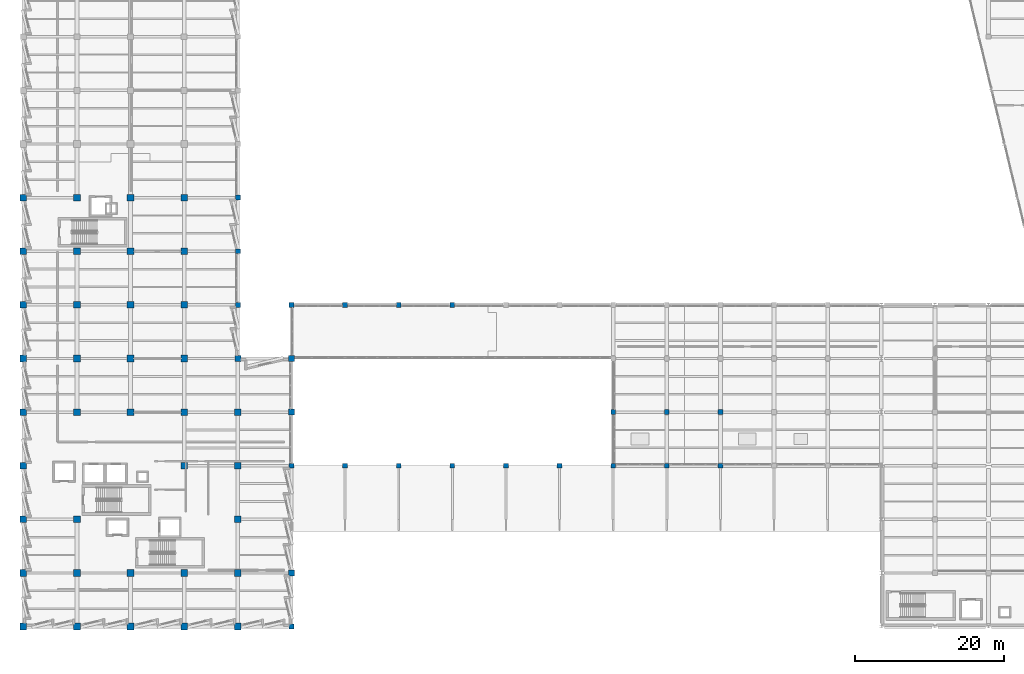
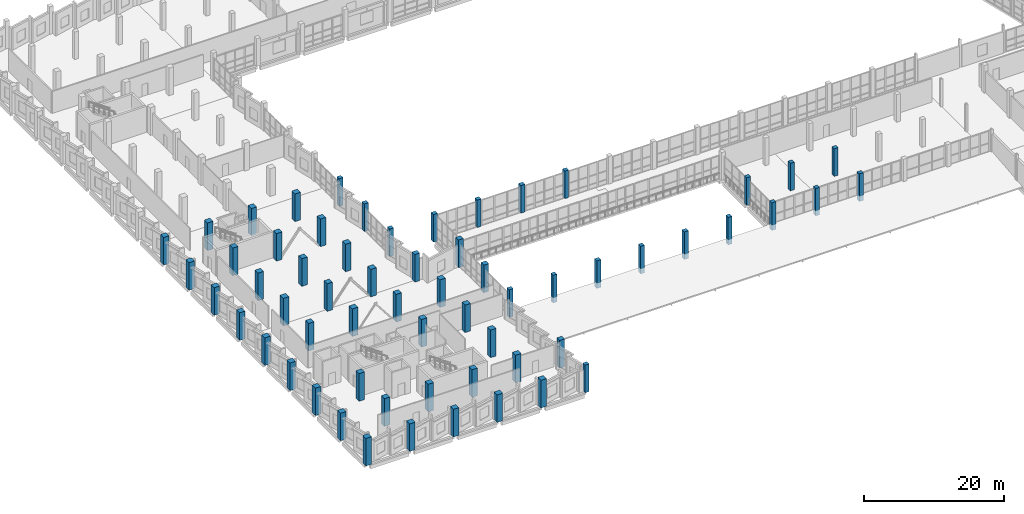
# One storey, part 1 of 127: 61 columns.
"""IFC4 building model written with IfcOpenShell, lengths in metres."""

from ifc_helpers import new_model, si_unit, direction, frame, origin, origin_2d, place, context, subcontext, project, spatial, rectangle, extrude, material, material_profile, profile_set, type_object, element, save


model = new_model("IFC4")

# Units and contexts
model_context = context("Model", 3, precision=1e-05, world=origin(), true_north=direction((0.0, 1.0)))
body_context = subcontext(model_context, "Body", "Model", "MODEL_VIEW")
ifc_project = project(units=[si_unit("LENGTHUNIT", "METRE"), si_unit("AREAUNIT", "SQUARE_METRE"), si_unit("VOLUMEUNIT", "CUBIC_METRE"), si_unit("PLANEANGLEUNIT", "RADIAN"), si_unit("MASSUNIT", "GRAM", prefix="KILO")], contexts=[model_context])

# Site, building, storey
site_placement = place(None, origin())
site = spatial("IfcSite", under=ifc_project, at=site_placement, CompositionType="ELEMENT")
building_placement = place(site_placement, origin())
building = spatial("IfcBuilding", under=site, at=building_placement, Name="Kalmorath City Hall", CompositionType="ELEMENT")
storey_placement = place(building_placement, frame((0.0, 0.0, 5.39990234375)))
storey = spatial("IfcBuildingStorey", under=building, at=storey_placement, Name="L01", CompositionType="ELEMENT", Elevation=5.39990234375)

# Columns
ifc_material_1 = material(Name="Concrete C50/60", Category="concrete")
ifc_material_profile_1 = material_profile(ifc_material_1, rectangle(XDim=0.64990234375, YDim=0.64990234375, at=origin_2d()), Name="RC-COL-650X650")
ifc_profile_set_1 = profile_set([ifc_material_profile_1], Name="Concrete C50/60")
column_type_1 = type_object("IfcColumnType", Name="Concrete column 650x650", PredefinedType="COLUMN", material=ifc_profile_set_1)
for number, where, z_axis, x_axis, name in (
    (1, (28.800048828125, 43.199951171875, 0.0), (0.0, 0.0, 1.0), (1.0, 0.0, 0.0), "L01 column C5 (5/7)"),
    (2, (28.800048828125, 50.39990234375, 0.0), (0.0, 0.0, 1.0), (1.0, 0.0, 0.0), "L01 column C5 (5/8)"),
    (3, (28.800048828125, 57.60009765625, 0.0), (0.0, 0.0, 1.0), (1.0, 0.0, 0.0), "L01 column C5 (5/9)"),
    (4, (36.0, 0.0, 0.0), (0.0, 0.0, 1.0), (1.0, 0.0, 0.0), "L01 column C5 (6/1)"),
    (5, (36.0, 21.60009765625, 0.0), (0.0, 0.0, 1.0), (1.0, 0.0, 0.0), "L01 column C5 (6/4)"),
    (6, (36.0, 43.199951171875, 0.0), (0.0, 0.0, 1.0), (1.0, 0.0, 0.0), "L01 column C5 (6/7)"),
    (7, (43.199951171875, 21.60009765625, 0.0), (0.0, 0.0, 1.0), (1.0, 0.0, 0.0), "L01 column C5 (7/4)"),
    (8, (43.199951171875, 43.199951171875, 0.0), (0.0, 0.0, 1.0), (1.0, 0.0, 0.0), "L01 column C5 (7/7)"),
    (9, (50.39990234375, 21.60009765625, 0.0), (0.0, 0.0, 1.0), (1.0, 0.0, 0.0), "L01 column C5 (8/4)"),
    (10, (50.39990234375, 43.199951171875, 0.0), (0.0, 0.0, 1.0), (1.0, 0.0, 0.0), "L01 column C5 (8/7)"),
    (11, (57.60009765625, 21.60009765625, 0.0), (0.0, 0.0, 1.0), (1.0, 0.0, 0.0), "L01 column C5 (9/4)"),
    (12, (57.60009765625, 43.199951171875, 0.0), (0.0, 0.0, 1.0), (1.0, 0.0, 0.0), "L01 column C5 (9/7)"),
    (13, (64.800048828125, 21.60009765625, 0.0), (0.0, 0.0, 1.0), (1.0, 0.0, 0.0), "L01 column C5 (10/4)"),
    (14, (72.0, 21.60009765625, 0.0), (0.0, 0.0, 1.0), (1.0, 0.0, 0.0), "L01 column C5 (11/4)"),
    (15, (79.199951171875, 21.60009765625, 0.0), (0.0, 0.0, 1.0), (1.0, 0.0, 0.0), "L01 column C5 (12/4)"),
    (16, (79.199951171875, 28.800048828125, 0.0), (0.0, 0.0, 1.0), (1.0, 0.0, 0.0), "L01 column C5 (12/5)"),
    (17, (86.39990234375, 21.60009765625, 0.0), (0.0, 0.0, 1.0), (1.0, 0.0, 0.0), "L01 column C5 (13/4)"),
    (18, (86.39990234375, 28.800048828125, 0.0), (0.0, 0.0, 1.0), (1.0, 0.0, 0.0), "L01 column C5 (13/5)"),
    (19, (93.60009765625, 21.60009765625, 0.0), (0.0, 0.0, 1.0), (1.0, 0.0, 0.0), "L01 column C5 (14/4)"),
    (20, (93.60009765625, 28.800048828125, 0.0), (0.0, 0.0, 1.0), (1.0, 0.0, 0.0), "L01 column C5 (14/5)"),
):
    element("IfcColumn", number, at=place(storey_placement, frame(where, z_axis=z_axis, x_axis=x_axis)), inside=storey, type_object=column_type_1, Name=name, PredefinedType="COLUMN", context=body_context, shape_type="SweptSolid", body=[
        extrude(rectangle(XDim=0.64990234375, YDim=0.64990234375, at=origin_2d()), origin(), (0.0, 0.0, 1.0), 4.800048828125),
    ])
ifc_material_2 = material(Name="Concrete C50/60", Category="concrete")
ifc_material_profile_2 = material_profile(ifc_material_2, rectangle(XDim=0.800048828125, YDim=0.800048828125, at=origin_2d()), Name="RC-COL-800X800")
ifc_profile_set_2 = profile_set([ifc_material_profile_2], Name="Concrete C50/60")
column_type_2 = type_object("IfcColumnType", Name="Concrete column 800x800", PredefinedType="COLUMN", material=ifc_profile_set_2)
for number, where, z_axis, x_axis, name in (
    (21, (28.800048828125, 36.0, 0.0), (0.0, 0.0, 1.0), (1.0, 0.0, 0.0), "L01 column C2 (5/6)"),
    (22, (36.0, 7.199951171875, 0.0), (0.0, 0.0, 1.0), (1.0, 0.0, 0.0), "L01 column C2 (6/2)"),
    (23, (36.0, 28.800048828125, 0.0), (0.0, 0.0, 1.0), (1.0, 0.0, 0.0), "L01 column C2 (6/5)"),
    (24, (36.0, 36.0, 0.0), (0.0, 0.0, 1.0), (1.0, 0.0, 0.0), "L01 column C2 (6/6)"),
):
    element("IfcColumn", number, at=place(storey_placement, frame(where, z_axis=z_axis, x_axis=x_axis)), inside=storey, type_object=column_type_2, Name=name, PredefinedType="COLUMN", context=body_context, shape_type="SweptSolid", body=[
        extrude(rectangle(XDim=0.800048828125, YDim=0.800048828125, at=origin_2d()), origin(), (0.0, 0.0, 1.0), 4.800048828125),
    ])
ifc_material_3 = material(Name="Concrete C50/60", Category="concrete")
ifc_material_profile_3 = material_profile(ifc_material_3, rectangle(XDim=0.89990234375, YDim=0.89990234375, at=origin_2d()), Name="RC-COL-900X900")
ifc_profile_set_3 = profile_set([ifc_material_profile_3], Name="Concrete C50/60")
column_type_3 = type_object("IfcColumnType", Name="Concrete column 900x900", PredefinedType="COLUMN", material=ifc_profile_set_3)
for number, where, z_axis, x_axis, name in (
    (25, (0.0, 0.0, 0.0), (0.0, 0.0, 1.0), (1.0, 0.0, 0.0), "L01 column C1 (1/1)"),
    (26, (0.0, 7.199951171875, 0.0), (0.0, 0.0, 1.0), (1.0, 0.0, 0.0), "L01 column C1 (1/2)"),
    (27, (0.0, 14.39990234375, 0.0), (0.0, 0.0, 1.0), (1.0, 0.0, 0.0), "L01 column C1 (1/3)"),
    (28, (0.0, 21.60009765625, 0.0), (0.0, 0.0, 1.0), (1.0, 0.0, 0.0), "L01 column C1 (1/4)"),
    (29, (0.0, 28.800048828125, 0.0), (0.0, 0.0, 1.0), (1.0, 0.0, 0.0), "L01 column C1 (1/5)"),
    (30, (0.0, 36.0, 0.0), (0.0, 0.0, 1.0), (1.0, 0.0, 0.0), "L01 column C1 (1/6)"),
    (31, (0.0, 43.199951171875, 0.0), (0.0, 0.0, 1.0), (1.0, 0.0, 0.0), "L01 column C1 (1/7)"),
    (32, (0.0, 50.39990234375, 0.0), (0.0, 0.0, 1.0), (1.0, 0.0, 0.0), "L01 column C1 (1/8)"),
    (33, (0.0, 57.60009765625, 0.0), (0.0, 0.0, 1.0), (1.0, 0.0, 0.0), "L01 column C1 (1/9)"),
    (34, (7.199951171875, 0.0, 0.0), (0.0, 0.0, 1.0), (1.0, 0.0, 0.0), "L01 column C1 (2/1)"),
    (35, (7.199951171875, 7.199951171875, 0.0), (0.0, 0.0, 1.0), (1.0, 0.0, 0.0), "L01 column C1 (2/2)"),
    (36, (7.199951171875, 14.39990234375, 0.0), (0.0, 0.0, 1.0), (1.0, 0.0, 0.0), "L01 column C1 (2/3)"),
    (37, (7.199951171875, 28.800048828125, 0.0), (0.0, 0.0, 1.0), (1.0, 0.0, 0.0), "L01 column C1 (2/5)"),
    (38, (7.199951171875, 36.0, 0.0), (0.0, 0.0, 1.0), (1.0, 0.0, 0.0), "L01 column C1 (2/6)"),
    (39, (7.199951171875, 43.199951171875, 0.0), (0.0, 0.0, 1.0), (1.0, 0.0, 0.0), "L01 column C1 (2/7)"),
    (40, (7.199951171875, 50.39990234375, 0.0), (0.0, 0.0, 1.0), (1.0, 0.0, 0.0), "L01 column C1 (2/8)"),
    (41, (7.199951171875, 57.60009765625, 0.0), (0.0, 0.0, 1.0), (1.0, 0.0, 0.0), "L01 column C1 (2/9)"),
    (42, (14.39990234375, 0.0, 0.0), (0.0, 0.0, 1.0), (1.0, 0.0, 0.0), "L01 column C1 (3/1)"),
    (43, (14.39990234375, 7.199951171875, 0.0), (0.0, 0.0, 1.0), (1.0, 0.0, 0.0), "L01 column C1 (3/2)"),
    (44, (14.39990234375, 28.800048828125, 0.0), (0.0, 0.0, 1.0), (1.0, 0.0, 0.0), "L01 column C1 (3/5)"),
    (45, (14.39990234375, 36.0, 0.0), (0.0, 0.0, 1.0), (1.0, 0.0, 0.0), "L01 column C1 (3/6)"),
    (46, (14.39990234375, 43.199951171875, 0.0), (0.0, 0.0, 1.0), (1.0, 0.0, 0.0), "L01 column C1 (3/7)"),
    (47, (14.39990234375, 50.39990234375, 0.0), (0.0, 0.0, 1.0), (1.0, 0.0, 0.0), "L01 column C1 (3/8)"),
    (48, (14.39990234375, 57.60009765625, 0.0), (0.0, 0.0, 1.0), (1.0, 0.0, 0.0), "L01 column C1 (3/9)"),
    (49, (21.60009765625, 0.0, 0.0), (0.0, 0.0, 1.0), (1.0, 0.0, 0.0), "L01 column C1 (4/1)"),
    (50, (21.60009765625, 7.199951171875, 0.0), (0.0, 0.0, 1.0), (1.0, 0.0, 0.0), "L01 column C1 (4/2)"),
    (51, (21.60009765625, 21.60009765625, 0.0), (0.0, 0.0, 1.0), (1.0, 0.0, 0.0), "L01 column C1 (4/4)"),
    (52, (21.60009765625, 28.800048828125, 0.0), (0.0, 0.0, 1.0), (1.0, 0.0, 0.0), "L01 column C1 (4/5)"),
    (53, (21.60009765625, 36.0, 0.0), (0.0, 0.0, 1.0), (1.0, 0.0, 0.0), "L01 column C1 (4/6)"),
    (54, (21.60009765625, 43.199951171875, 0.0), (0.0, 0.0, 1.0), (1.0, 0.0, 0.0), "L01 column C1 (4/7)"),
    (55, (21.60009765625, 50.39990234375, 0.0), (0.0, 0.0, 1.0), (1.0, 0.0, 0.0), "L01 column C1 (4/8)"),
    (56, (21.60009765625, 57.60009765625, 0.0), (0.0, 0.0, 1.0), (1.0, 0.0, 0.0), "L01 column C1 (4/9)"),
    (57, (28.800048828125, 0.0, 0.0), (0.0, 0.0, 1.0), (1.0, 0.0, 0.0), "L01 column C1 (5/1)"),
    (58, (28.800048828125, 7.199951171875, 0.0), (0.0, 0.0, 1.0), (1.0, 0.0, 0.0), "L01 column C1 (5/2)"),
    (59, (28.800048828125, 14.39990234375, 0.0), (0.0, 0.0, 1.0), (1.0, 0.0, 0.0), "L01 column C1 (5/3)"),
    (60, (28.800048828125, 21.60009765625, 0.0), (0.0, 0.0, 1.0), (1.0, 0.0, 0.0), "L01 column C1 (5/4)"),
    (61, (28.800048828125, 28.800048828125, 0.0), (0.0, 0.0, 1.0), (1.0, 0.0, 0.0), "L01 column C1 (5/5)"),
):
    element("IfcColumn", number, at=place(storey_placement, frame(where, z_axis=z_axis, x_axis=x_axis)), inside=storey, type_object=column_type_3, Name=name, PredefinedType="COLUMN", context=body_context, shape_type="SweptSolid", body=[
        extrude(rectangle(XDim=0.89990234375, YDim=0.89990234375, at=origin_2d()), origin(), (0.0, 0.0, 1.0), 4.800048828125),
    ])

save(model, "model.ifc")
